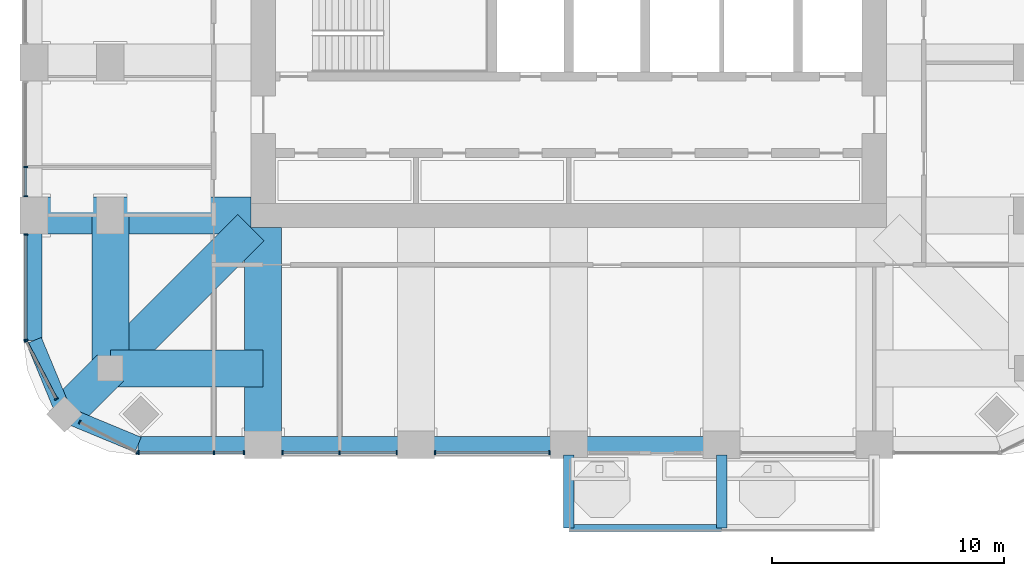
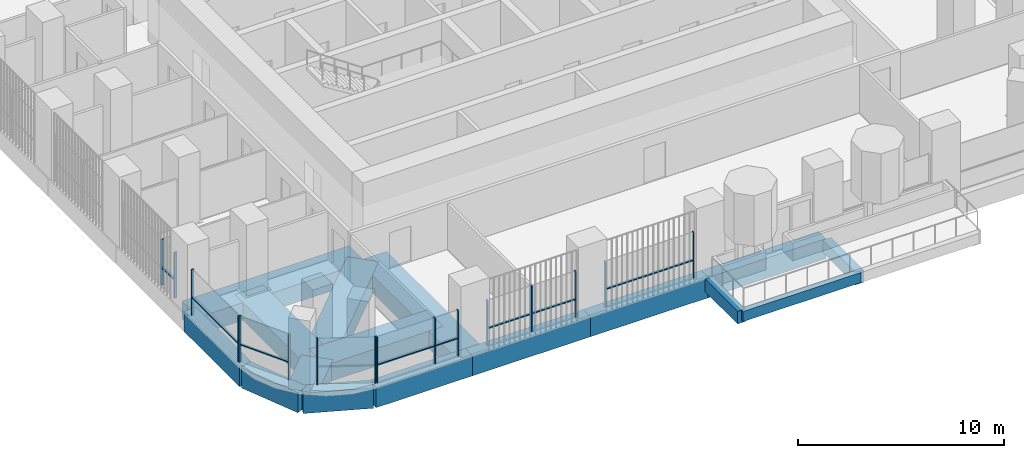
# One storey, part 2 of 19: 24 members, 16 beams, 7 elements without a shape of their own.
"""IFC4 building model written with IfcOpenShell, lengths in metres."""

import ifcopenshell
import ifcopenshell.guid

model = None  # the IFC model being written
_history = None  # IfcOwnerHistory: only IFC2X3 demands one
_inside = {}  # id of a spatial element -> (the spatial element, [elements in it])
_under = {}  # id of a project, library or spatial element -> (it, [spatial elements below it])
_declared = {}  # id of a project -> (the project, [libraries it declares])
_typed = {}  # id of a type object -> (the type object, [elements of that type])
_made_of = {}  # id of a material, layer set ... -> (it, [elements and type objects made of it])


def new_model(schema):
    """Start an empty IFC model of exactly this schema.

    Asked for "IFC4X3", IfcOpenShell would pick the latest addendum, in which some entities
    have other attributes; the version numbers below select the first issue.
    IFC2X3 requires an IfcOwnerHistory on every rooted entity: one is made here for all.
    """
    global model, _history
    if schema == "IFC4X3":
        model = ifcopenshell.file(schema_version=(4, 3, 0, 0))
    else:
        model = ifcopenshell.file(schema=schema)
    _inside.clear()
    _under.clear()
    _declared.clear()
    _typed.clear()
    _made_of.clear()
    _history = None
    if model.schema == "IFC2X3":
        org = make("IfcOrganization", Name="unknown")
        user = make(
            "IfcPersonAndOrganization",
            ThePerson=make("IfcPerson", FamilyName="unknown"),
            TheOrganization=org,
        )
        app = make(
            "IfcApplication",
            ApplicationDeveloper=org,
            Version="unknown",
            ApplicationFullName="unknown",
            ApplicationIdentifier="unknown",
        )
        _history = make(
            "IfcOwnerHistory",
            OwningUser=user,
            OwningApplication=app,
            ChangeAction="ADDED",
            CreationDate=0,
        )
    return model


def make(cls, **values):
    """One entity of the class cls with the attributes given. An attribute that is None is left unset."""
    return model.create_entity(
        cls, **{name: value for name, value in values.items() if value is not None}
    )


def rooted(cls, **values):
    """An entity with a GlobalId (a new one), such as an element, a storey or a relation."""
    return make(cls, GlobalId=ifcopenshell.guid.new(), OwnerHistory=_history, **values)


def si_unit(unit_type, name, prefix=None):
    """IfcSIUnit, for example si_unit("LENGTHUNIT", "METRE", prefix="MILLI")."""
    return make("IfcSIUnit", UnitType=unit_type, Prefix=prefix, Name=name)


def assignment(units):
    """IfcUnitAssignment: the units of a project."""
    return None if units is None else make("IfcUnitAssignment", Units=units)


def point(xyz):
    """IfcCartesianPoint."""
    return None if xyz is None else make("IfcCartesianPoint", Coordinates=xyz)


def direction(xyz):
    """IfcDirection."""
    return None if xyz is None else make("IfcDirection", DirectionRatios=xyz)


def frame(location, z_axis=None, x_axis=None):
    """IfcAxis2Placement3D, a coordinate frame: its origin and axes. An axis left out is left unset."""
    return make(
        "IfcAxis2Placement3D",
        Location=point(location),
        Axis=direction(z_axis),
        RefDirection=direction(x_axis),
    )


def frame_2d(location, x_axis=None):
    """IfcAxis2Placement2D, a coordinate frame in the plane: its origin and x axis."""
    return make(
        "IfcAxis2Placement2D", Location=point(location), RefDirection=direction(x_axis)
    )


def origin():
    """The frame at (0, 0, 0) with its axes left unset."""
    return frame((0.0, 0.0, 0.0))


def origin_2d():
    """The frame at (0, 0) in the plane with its x axis left unset."""
    return frame_2d((0.0, 0.0))


def place(relative_to, where):
    """IfcLocalPlacement: puts the frame where relative to a parent placement (None: the world)."""
    return make(
        "IfcLocalPlacement", PlacementRelTo=relative_to, RelativePlacement=where
    )


def context(
    kind, dimensions, precision=None, world=None, true_north=None, identifier=None
):
    """IfcGeometricRepresentationContext, for example the 3D "Model" context."""
    return make(
        "IfcGeometricRepresentationContext",
        ContextIdentifier=identifier,
        ContextType=kind,
        CoordinateSpaceDimension=dimensions,
        Precision=precision,
        WorldCoordinateSystem=world,
        TrueNorth=true_north,
    )


def subcontext(parent, identifier, kind, view, scale=None):
    """IfcGeometricRepresentationSubContext, for example "Body" below "Model"."""
    return make(
        "IfcGeometricRepresentationSubContext",
        ContextIdentifier=identifier,
        ContextType=kind,
        ParentContext=parent,
        TargetScale=scale,
        TargetView=view,
    )


def project(units=None, contexts=None):
    """IfcProject with its units and contexts."""
    return rooted(
        "IfcProject",
        Name="project",
        RepresentationContexts=contexts,
        UnitsInContext=assignment(units),
    )


def spatial(cls, under=None, at=None, **own):
    """A site, building, storey or space (cls), placed at a placement, below another one or the project."""
    s = rooted(cls, ObjectPlacement=at, **own)
    if under is not None:
        _under.setdefault(under.id(), (under, []))[1].append(s)
    return s


def profile(cls, at=None, kind="AREA", **sizes):
    """A parametric profile (cls). Its sizes go by their IFC names, for example OverallWidth=200.0."""
    return make(cls, ProfileType=kind, Position=at, **sizes)


def rectangle(**sizes):
    """IfcRectangleProfileDef."""
    return profile("IfcRectangleProfileDef", **sizes)


def extrude(swept, where, along, depth):
    """IfcExtrudedAreaSolid: the profile swept, set in the frame where, extruded along a direction by depth."""
    return make(
        "IfcExtrudedAreaSolid",
        SweptArea=swept,
        Position=where,
        ExtrudedDirection=direction(along),
        Depth=depth,
    )


def shape(context_of_items, identifier, shape_type, items):
    """IfcShapeRepresentation: the items that make up one representation, for example the "Body"."""
    return make(
        "IfcShapeRepresentation",
        ContextOfItems=context_of_items,
        RepresentationIdentifier=identifier,
        RepresentationType=shape_type,
        Items=items,
    )


def material(Name=None, Category=None):
    """IfcMaterial."""
    return make("IfcMaterial", Name=Name, Category=Category)


def material_profile(
    of_material, cross_section, Name=None, Category=None, Priority=None
):
    """IfcMaterialProfile: a cross section and its material."""
    return make(
        "IfcMaterialProfile",
        Name=Name,
        Material=of_material,
        Profile=cross_section,
        Priority=Priority,
        Category=Category,
    )


def profile_set(profiles, Name=None, composite=None):
    """IfcMaterialProfileSet."""
    return make(
        "IfcMaterialProfileSet",
        Name=Name,
        MaterialProfiles=profiles,
        CompositeProfile=composite,
    )


def made_of(thing, what):
    """Note that an element or type object is made of a material, layer set ...; save() writes the relation."""
    if what is not None:
        _made_of.setdefault(what.id(), (what, []))[1].append(thing)
    return thing


def type_object(cls, material=None, **own):
    """A type object (cls), such as IfcWallType, which elements share."""
    return made_of(rooted(cls, **own), material)


def element(
    cls,
    number,
    at=None,
    inside=None,
    cuts=None,
    type_object=None,
    material=None,
    context=None,
    identifier="Body",
    shape_type=None,
    held_by="IfcProductDefinitionShape",
    body=None,
    shapes=None,
    **own,
):
    """One element of the class cls, such as IfcWall. Its Tag is "e" and its number.

    at: its placement. inside: the storey or other place that contains it. cuts: it is an
    opening in that element (IfcRelVoidsElement). A single representation is given by context,
    identifier, shape_type and body (its items); several are given by shapes. held_by: the class
    of the entity that holds the representations. save() writes the other relations.
    """
    e = rooted(cls, Tag="e%d" % number, ObjectPlacement=at, **own)
    if body is not None:
        shapes = [shape(context, identifier, shape_type, body)]
    if shapes is not None:
        e.Representation = make(held_by, Representations=shapes)
    if inside is not None:
        _inside.setdefault(inside.id(), (inside, []))[1].append(e)
    if cuts is not None:
        rooted(
            "IfcRelVoidsElement", RelatingBuildingElement=cuts, RelatedOpeningElement=e
        )
    if type_object is not None:
        _typed.setdefault(type_object.id(), (type_object, []))[1].append(e)
    return made_of(e, material)


def aggregate(whole, parts):
    """IfcRelAggregates: a whole, such as a stair, and the parts it consists of."""
    return rooted("IfcRelAggregates", RelatingObject=whole, RelatedObjects=parts)


def save(model, path):
    """Write the relations noted so far, then the file.

    IfcRelAggregates (storeys below a building ...), IfcRelContainedInSpatialStructure (elements
    in a storey), IfcRelDefinesByType, IfcRelAssociatesMaterial and IfcRelDeclares: one each for
    every whole, place, type object, material and project.
    """
    for whole, parts in _under.values():
        aggregate(whole, parts)
    for where, things in _inside.values():
        rooted(
            "IfcRelContainedInSpatialStructure",
            RelatedElements=things,
            RelatingStructure=where,
        )
    for kind, things in _typed.values():
        rooted("IfcRelDefinesByType", RelatedObjects=things, RelatingType=kind)
    for what, things in _made_of.values():
        rooted("IfcRelAssociatesMaterial", RelatedObjects=things, RelatingMaterial=what)
    for by, libraries in _declared.values():
        rooted("IfcRelDeclares", RelatingContext=by, RelatedDefinitions=libraries)
    model.write(path)


model = new_model("IFC4")

# Units and contexts
model_context = context("Model", 3, precision=1e-05, world=origin(), true_north=direction((0.0, 1.0)))
body_context = subcontext(model_context, "Body", "Model", "MODEL_VIEW")
ifc_project = project(units=[si_unit("LENGTHUNIT", "METRE"), si_unit("AREAUNIT", "SQUARE_METRE"), si_unit("VOLUMEUNIT", "CUBIC_METRE"), si_unit("PLANEANGLEUNIT", "RADIAN"), si_unit("MASSUNIT", "GRAM", prefix="KILO")], contexts=[model_context])

# Site, building, storey
site_placement = place(None, origin())
site = spatial("IfcSite", under=ifc_project, at=site_placement, CompositionType="ELEMENT")
building_placement = place(site_placement, origin())
building = spatial("IfcBuilding", under=site, at=building_placement, Name="Cobogo Forest Laboratory Tower", CompositionType="ELEMENT")
storey_placement = place(building_placement, frame((0.0, 0.0, 206.10009765625)))
storey = spatial("IfcBuildingStorey", under=building, at=storey_placement, Name="L47", CompositionType="ELEMENT", Elevation=206.10009765625)

# Beams
ifc_material_1 = material(Name="Concrete HA-40 (C40/50)", Category="concrete")
ifc_material_profile_1 = material_profile(ifc_material_1, rectangle(XDim=0.449951171875, YDim=0.75, at=origin_2d()), Name="RC 450x750")
ifc_profile_set_1 = profile_set([ifc_material_profile_1], Name="Concrete HA-40 (C40/50)")
beam_type_1 = type_object("IfcBeamType", Name="Balcony cantilever beam 450x750", PredefinedType="BEAM", material=ifc_profile_set_1)
for number, where, z_axis, x_axis, name in (
    (1, (26.39990234375, 2.85009765625, -0.625), (0.0, -1.0, 0.0), (1.0, 0.0, 0.0), "CB1 BAL-S1-C1 L47"),
    (2, (33.0, 2.85009765625, -0.625), (0.0, -1.0, 0.0), (1.0, 0.0, 0.0), "CB1 BAL-S1-C2 L47"),
):
    element("IfcBeam", number, at=place(storey_placement, frame(where, z_axis=z_axis, x_axis=x_axis)), inside=storey, type_object=beam_type_1, Name=name, PredefinedType="BEAM", context=body_context, shape_type="SweptSolid", body=[
        extrude(rectangle(XDim=0.449951171875, YDim=0.75, at=origin_2d()), origin(), (0.0, 0.0, 1.0), 3.150146484375),
    ])
ifc_material_profile_2 = material_profile(ifc_material_1, rectangle(XDim=0.300048828125, YDim=0.60009765625, at=origin_2d()), Name="RC 300x600")
ifc_profile_set_2 = profile_set([ifc_material_profile_2], Name="Concrete HA-40 (C40/50)")
beam_type_2 = type_object("IfcBeamType", Name="Balcony edge beam 300x600", PredefinedType="BEAM", material=ifc_profile_set_2)
beam_1_placement = place(storey_placement, frame((26.39990234375, -0.300048828125, -0.550048828125), z_axis=(1.0, 0.0, 0.0), x_axis=(0.0, 1.0, 0.0)))
element("IfcBeam", 3, at=beam_1_placement, inside=storey, type_object=beam_type_2, Name="BB1 BAL-S1-T1 L47", PredefinedType="BEAM", context=body_context, shape_type="SweptSolid", body=[
    extrude(rectangle(XDim=0.300048828125, YDim=0.60009765625, at=origin_2d()), origin(), (0.0, 0.0, 1.0), 6.60009765625),
])
ifc_material_2 = material(Name="Concrete HA-50 (C50/60)", Category="concrete")
ifc_material_profile_3 = material_profile(ifc_material_2, rectangle(XDim=1.60009765625, YDim=1.050048828125, at=origin_2d()), Name="RC 1600x1050")
ifc_profile_set_3 = profile_set([ifc_material_profile_3], Name="Concrete HA-50 (C50/60)")
beam_type_3 = type_object("IfcBeamType", Name="Laboratory floor wide beam 1600x1050", PredefinedType="BEAM", material=ifc_profile_set_3)
for number, where, z_axis, x_axis, name in (
    (4, (13.199951171875, 12.675048828125, -0.8251953125), (0.0, -1.0, 0.0), (1.0, 0.0, 0.0), "RB8 R-3-S L47"),
    (5, (12.675048828125, 13.199951171875, -0.8251953125), (-1.0, 0.0, 0.0), (0.0, -1.0, 0.0), "RB8 R-C-W L47"),
):
    element("IfcBeam", number, at=place(storey_placement, frame(where, z_axis=z_axis, x_axis=x_axis)), inside=storey, type_object=beam_type_3, Name=name, PredefinedType="BEAM", context=body_context, shape_type="SweptSolid", body=[
        extrude(rectangle(XDim=1.60009765625, YDim=1.050048828125, at=origin_2d()), origin(), (0.0, 0.0, 1.0), 9.375),
    ])
for number, where, z_axis, x_axis, name in (
    (6, (6.60009765625, 6.60009765625, -0.8251953125), (0.0, 1.0, 0.0), (-1.0, 0.0, 0.0), "RB8 G-SW-XC L47"),
    (7, (6.60009765625, 6.60009765625, -0.8251953125), (1.0, 0.0, 0.0), (0.0, 1.0, 0.0), "RB8 G-SW-YC L47"),
):
    element("IfcBeam", number, at=place(storey_placement, frame(where, z_axis=z_axis, x_axis=x_axis)), inside=storey, type_object=beam_type_3, Name=name, PredefinedType="BEAM", context=body_context, shape_type="SweptSolid", body=[
        extrude(rectangle(XDim=1.60009765625, YDim=1.050048828125, at=origin_2d()), origin(), (0.0, 0.0, 1.0), 6.599853515625),
    ])
beam_2_placement = place(storey_placement, frame((4.617919921875, 4.617919921875, -0.8251953125), z_axis=(0.707106781187, 0.707106781187, 0.0), x_axis=(-0.707106781187, 0.707106781187, 0.0)))
element("IfcBeam", 8, at=beam_2_placement, inside=storey, type_object=beam_type_3, Name="RB8 G-SW-D1 L47", PredefinedType="BEAM", context=body_context, shape_type="SweptSolid", body=[
    extrude(rectangle(XDim=1.60009765625, YDim=1.050048828125, at=origin_2d()), origin(), (0.0, 0.0, 1.0), 2.80322265625),
])
beam_3_placement = place(storey_placement, frame((6.60009765625, 6.60009765625, -0.8251953125), z_axis=(0.707106781187, 0.707106781187, 0.0), x_axis=(-0.707106781187, 0.707106781187, 0.0)))
element("IfcBeam", 9, at=beam_3_placement, inside=storey, type_object=beam_type_3, Name="RB8 G-SW-D2 L47", PredefinedType="BEAM", context=body_context, shape_type="SweptSolid", body=[
    extrude(rectangle(XDim=1.60009765625, YDim=1.050048828125, at=origin_2d()), origin(), (0.0, 0.0, 1.0), 8.59130859375),
])

# Curtain wall, members
ifc_material_3 = material(Name="Aluminium curtain wall", Category="aluminium")
curtain_wall_type = type_object("IfcCurtainWallType", Name="CW-2 unitised curtain wall, solar control glazing, laboratory floors zones C and D", PredefinedType="USERDEFINED", material=ifc_material_3)
curtain_wall_1_placement = place(storey_placement, origin())
curtain_wall_1 = element("IfcCurtainWall", 10, at=curtain_wall_1_placement, inside=storey, type_object=curtain_wall_type, Name="Curtain wall 01 L47", ObjectType="UNITISED CURTAIN WALL", PredefinedType="USERDEFINED")
ifc_material_4 = material(Name="Aluminium mullion", Category="aluminium")
ifc_material_profile_4 = material_profile(ifc_material_4, rectangle(XDim=0.06005859375, YDim=0.159912109375, at=origin_2d()), Name="AL 60x160")
ifc_profile_set_4 = profile_set([ifc_material_profile_4], Name="Aluminium mullion")
member_type_1 = type_object("IfcMemberType", Name="MU-1 aluminium mullion 60x160", PredefinedType="MULLION", material=ifc_profile_set_4)
member_1_placement = place(storey_placement, frame((7.830078125, 2.949951171875, 0.0), z_axis=(0.0, 0.0, 1.0), x_axis=(1.0, 0.0, 0.0)))
member_1 = element("IfcMember", 11, at=member_1_placement, type_object=member_type_1, Name="CW-2 mullion 1", PredefinedType="MULLION", context=body_context, shape_type="SweptSolid", body=[
    extrude(rectangle(XDim=0.06005859375, YDim=0.159912109375, at=origin_2d()), origin(), (0.0, 0.0, 1.0), 2.699951171875),
])
member_2_placement = place(storey_placement, frame((11.074951171875, 2.949951171875, 0.0), z_axis=(0.0, 0.0, 1.0), x_axis=(1.0, 0.0, 0.0)))
member_2 = element("IfcMember", 12, at=member_2_placement, type_object=member_type_1, Name="CW-2 mullion 2", PredefinedType="MULLION", context=body_context, shape_type="SweptSolid", body=[
    extrude(rectangle(XDim=0.06005859375, YDim=0.159912109375, at=origin_2d()), origin(), (0.0, 0.0, 1.0), 2.699951171875),
])
member_3_placement = place(storey_placement, frame((12.3701171875, 2.949951171875, 0.0), z_axis=(0.0, 0.0, 1.0), x_axis=(1.0, 0.0, 0.0)))
member_3 = element("IfcMember", 13, at=member_3_placement, type_object=member_type_1, Name="CW-2 mullion 3", PredefinedType="MULLION", context=body_context, shape_type="SweptSolid", body=[
    extrude(rectangle(XDim=0.06005859375, YDim=0.159912109375, at=origin_2d()), origin(), (0.0, 0.0, 1.0), 2.699951171875),
])

curtain_wall_2_placement = place(storey_placement, origin())
curtain_wall_2 = element("IfcCurtainWall", 14, at=curtain_wall_2_placement, inside=storey, type_object=curtain_wall_type, Name="Curtain wall 02 L47", ObjectType="UNITISED CURTAIN WALL", PredefinedType="USERDEFINED")
member_4_placement = place(storey_placement, frame((14.030029296875, 2.949951171875, 0.0), z_axis=(0.0, 0.0, 1.0), x_axis=(1.0, 0.0, 0.0)))
member_4 = element("IfcMember", 15, at=member_4_placement, type_object=member_type_1, Name="CW-2 mullion 1", PredefinedType="MULLION", context=body_context, shape_type="SweptSolid", body=[
    extrude(rectangle(XDim=0.06005859375, YDim=0.159912109375, at=origin_2d()), origin(), (0.0, 0.0, 1.0), 2.699951171875),
])
member_5_placement = place(storey_placement, frame((16.5, 2.949951171875, 0.0), z_axis=(0.0, 0.0, 1.0), x_axis=(1.0, 0.0, 0.0)))
member_5 = element("IfcMember", 16, at=member_5_placement, type_object=member_type_1, Name="CW-2 mullion 2", PredefinedType="MULLION", context=body_context, shape_type="SweptSolid", body=[
    extrude(rectangle(XDim=0.06005859375, YDim=0.159912109375, at=origin_2d()), origin(), (0.0, 0.0, 1.0), 2.699951171875),
])
member_6_placement = place(storey_placement, frame((18.969970703125, 2.949951171875, 0.0), z_axis=(0.0, 0.0, 1.0), x_axis=(1.0, 0.0, 0.0)))
member_6 = element("IfcMember", 17, at=member_6_placement, type_object=member_type_1, Name="CW-2 mullion 3", PredefinedType="MULLION", context=body_context, shape_type="SweptSolid", body=[
    extrude(rectangle(XDim=0.06005859375, YDim=0.159912109375, at=origin_2d()), origin(), (0.0, 0.0, 1.0), 2.699951171875),
])

curtain_wall_3_placement = place(storey_placement, origin())
curtain_wall_3 = element("IfcCurtainWall", 18, at=curtain_wall_3_placement, inside=storey, type_object=curtain_wall_type, Name="Curtain wall 03 L47", ObjectType="UNITISED CURTAIN WALL", PredefinedType="USERDEFINED")
member_7_placement = place(storey_placement, frame((20.6298828125, 2.949951171875, 0.0), z_axis=(0.0, 0.0, 1.0), x_axis=(1.0, 0.0, 0.0)))
member_7 = element("IfcMember", 19, at=member_7_placement, type_object=member_type_1, Name="CW-2 mullion 1", PredefinedType="MULLION", context=body_context, shape_type="SweptSolid", body=[
    extrude(rectangle(XDim=0.06005859375, YDim=0.159912109375, at=origin_2d()), origin(), (0.0, 0.0, 1.0), 2.699951171875),
])
member_8_placement = place(storey_placement, frame((25.570068359375, 2.949951171875, 0.0), z_axis=(0.0, 0.0, 1.0), x_axis=(1.0, 0.0, 0.0)))
member_8 = element("IfcMember", 20, at=member_8_placement, type_object=member_type_1, Name="CW-2 mullion 2", PredefinedType="MULLION", context=body_context, shape_type="SweptSolid", body=[
    extrude(rectangle(XDim=0.06005859375, YDim=0.159912109375, at=origin_2d()), origin(), (0.0, 0.0, 1.0), 2.699951171875),
])

curtain_wall_4_placement = place(storey_placement, origin())
curtain_wall_4 = element("IfcCurtainWall", 21, at=curtain_wall_4_placement, inside=storey, type_object=curtain_wall_type, Name="Curtain wall 27 L47", ObjectType="UNITISED CURTAIN WALL", PredefinedType="USERDEFINED")
member_9_placement = place(storey_placement, frame((2.949951171875, 15.300048828125, 0.0), z_axis=(0.0, 0.0, 1.0), x_axis=(0.0, -1.0, 0.0)))
member_9 = element("IfcMember", 22, at=member_9_placement, type_object=member_type_1, Name="CW-2 mullion 2", PredefinedType="MULLION", context=body_context, shape_type="SweptSolid", body=[
    extrude(rectangle(XDim=0.06005859375, YDim=0.159912109375, at=origin_2d()), origin(), (0.0, 0.0, 1.0), 2.699951171875),
])
member_10_placement = place(storey_placement, frame((2.949951171875, 14.030029296875, 0.0), z_axis=(0.0, 0.0, 1.0), x_axis=(0.0, -1.0, 0.0)))
member_10 = element("IfcMember", 23, at=member_10_placement, type_object=member_type_1, Name="CW-2 mullion 3", PredefinedType="MULLION", context=body_context, shape_type="SweptSolid", body=[
    extrude(rectangle(XDim=0.06005859375, YDim=0.159912109375, at=origin_2d()), origin(), (0.0, 0.0, 1.0), 2.699951171875),
])

curtain_wall_5_placement = place(storey_placement, origin())
curtain_wall_5 = element("IfcCurtainWall", 24, at=curtain_wall_5_placement, inside=storey, type_object=curtain_wall_type, Name="Curtain wall 28 L47", ObjectType="UNITISED CURTAIN WALL", PredefinedType="USERDEFINED")
member_11_placement = place(storey_placement, frame((2.949951171875, 12.3701171875, 0.0), z_axis=(0.0, 0.0, 1.0), x_axis=(0.0, -1.0, 0.0)))
member_11 = element("IfcMember", 25, at=member_11_placement, type_object=member_type_1, Name="CW-2 mullion 1", PredefinedType="MULLION", context=body_context, shape_type="SweptSolid", body=[
    extrude(rectangle(XDim=0.06005859375, YDim=0.159912109375, at=origin_2d()), origin(), (0.0, 0.0, 1.0), 2.699951171875),
])
member_12_placement = place(storey_placement, frame((2.949951171875, 7.830078125, 0.0), z_axis=(0.0, 0.0, 1.0), x_axis=(0.0, -1.0, 0.0)))
member_12 = element("IfcMember", 26, at=member_12_placement, type_object=member_type_1, Name="CW-2 mullion 2", PredefinedType="MULLION", context=body_context, shape_type="SweptSolid", body=[
    extrude(rectangle(XDim=0.06005859375, YDim=0.159912109375, at=origin_2d()), origin(), (0.0, 0.0, 1.0), 2.699951171875),
])

curtain_wall_6_placement = place(storey_placement, origin())
curtain_wall_6 = element("IfcCurtainWall", 27, at=curtain_wall_6_placement, inside=storey, type_object=curtain_wall_type, Name="Curtain wall 29 L47", ObjectType="UNITISED CURTAIN WALL", PredefinedType="USERDEFINED")
member_13_placement = place(storey_placement, frame((2.9638671875, 7.7734375, 0.0), z_axis=(0.0, 0.0, 1.0), x_axis=(0.464283804832, -0.885686484356, 0.0)))
member_13 = element("IfcMember", 28, at=member_13_placement, type_object=member_type_1, Name="CW-2 mullion 1", PredefinedType="MULLION", context=body_context, shape_type="SweptSolid", body=[
    extrude(rectangle(XDim=0.06005859375, YDim=0.159912109375, at=origin_2d()), origin(), (0.0, 0.0, 1.0), 2.699951171875),
])
member_14_placement = place(storey_placement, frame((4.2734375, 5.275634765625, 0.0), z_axis=(0.0, 0.0, 1.0), x_axis=(0.464283804832, -0.885686484356, 0.0)))
member_14 = element("IfcMember", 29, at=member_14_placement, type_object=member_type_1, Name="CW-2 mullion 2", PredefinedType="MULLION", context=body_context, shape_type="SweptSolid", body=[
    extrude(rectangle(XDim=0.06005859375, YDim=0.159912109375, at=origin_2d()), origin(), (0.0, 0.0, 1.0), 2.699951171875),
])

curtain_wall_7_placement = place(storey_placement, origin())
curtain_wall_7 = element("IfcCurtainWall", 30, at=curtain_wall_7_placement, inside=storey, type_object=curtain_wall_type, Name="Curtain wall 30 L47", ObjectType="UNITISED CURTAIN WALL", PredefinedType="USERDEFINED")
member_15_placement = place(storey_placement, frame((5.275634765625, 4.2734375, 0.0), z_axis=(0.0, 0.0, 1.0), x_axis=(0.885686484356, -0.464283804832, 0.0)))
member_15 = element("IfcMember", 31, at=member_15_placement, type_object=member_type_1, Name="CW-2 mullion 1", PredefinedType="MULLION", context=body_context, shape_type="SweptSolid", body=[
    extrude(rectangle(XDim=0.06005859375, YDim=0.159912109375, at=origin_2d()), origin(), (0.0, 0.0, 1.0), 2.699951171875),
])
member_16_placement = place(storey_placement, frame((7.7734375, 2.9638671875, 0.0), z_axis=(0.0, 0.0, 1.0), x_axis=(0.885686484356, -0.464283804832, 0.0)))
member_16 = element("IfcMember", 32, at=member_16_placement, type_object=member_type_1, Name="CW-2 mullion 2", PredefinedType="MULLION", context=body_context, shape_type="SweptSolid", body=[
    extrude(rectangle(XDim=0.06005859375, YDim=0.159912109375, at=origin_2d()), origin(), (0.0, 0.0, 1.0), 2.699951171875),
])
aggregate(curtain_wall_7, [member_15, member_16])

# Beams
ifc_material_profile_5 = material_profile(ifc_material_1, rectangle(XDim=0.699951171875, YDim=1.199951171875, at=origin_2d()), Name="RC 700x1200")
ifc_profile_set_5 = profile_set([ifc_material_profile_5], Name="Concrete HA-40 (C40/50)")
beam_type_4 = type_object("IfcBeamType", Name="Perimeter edge beam 700x1200", PredefinedType="BEAM", material=ifc_profile_set_5)
beam_4_placement = place(storey_placement, frame((13.199951171875, 3.300048828125, -0.900146484375), z_axis=(1.0, 0.0, 0.0), x_axis=(0.0, 1.0, 0.0)))
element("IfcBeam", 33, at=beam_4_placement, inside=storey, type_object=beam_type_4, Name="EB1 E-S1 L47", PredefinedType="BEAM", context=body_context, shape_type="SweptSolid", body=[
    extrude(rectangle(XDim=0.699951171875, YDim=1.199951171875, at=origin_2d()), origin(), (0.0, 0.0, 1.0), 6.60009765625),
])
beam_5_placement = place(storey_placement, frame((19.800048828125, 3.300048828125, -0.900146484375), z_axis=(1.0, 0.0, 0.0), x_axis=(0.0, 1.0, 0.0)))
element("IfcBeam", 34, at=beam_5_placement, inside=storey, type_object=beam_type_4, Name="EB1 E-S2 L47", PredefinedType="BEAM", context=body_context, shape_type="SweptSolid", body=[
    extrude(rectangle(XDim=0.699951171875, YDim=1.199951171875, at=origin_2d()), origin(), (0.0, 0.0, 1.0), 6.599853515625),
])
beam_6_placement = place(storey_placement, frame((26.39990234375, 3.300048828125, -0.900146484375), z_axis=(1.0, 0.0, 0.0), x_axis=(0.0, 1.0, 0.0)))
element("IfcBeam", 35, at=beam_6_placement, inside=storey, type_object=beam_type_4, Name="EB1 E-S3 L47", PredefinedType="BEAM", context=body_context, shape_type="SweptSolid", body=[
    extrude(rectangle(XDim=0.699951171875, YDim=1.199951171875, at=origin_2d()), origin(), (0.0, 0.0, 1.0), 6.60009765625),
])
beam_7_placement = place(storey_placement, frame((13.199951171875, 3.300048828125, -0.900146484375), z_axis=(-1.0, 0.0, 0.0), x_axis=(0.0, -1.0, 0.0)))
element("IfcBeam", 36, at=beam_7_placement, inside=storey, type_object=beam_type_4, Name="EB1 E-SWS1 L47", PredefinedType="BEAM", context=body_context, shape_type="SweptSolid", body=[
    extrude(rectangle(XDim=0.699951171875, YDim=1.199951171875, at=origin_2d()), origin(), (0.0, 0.0, 1.0), 5.39990234375),
])
beam_8_placement = place(storey_placement, frame((7.800048828125, 3.300048828125, -0.900146484375), z_axis=(-0.923901072997, 0.382631424892, 0.0), x_axis=(-0.382631424892, -0.923901072997, 0.0)))
element("IfcBeam", 37, at=beam_8_placement, inside=storey, type_object=beam_type_4, Name="EB1 E-SWS2 L47", PredefinedType="BEAM", context=body_context, shape_type="SweptSolid", body=[
    extrude(rectangle(XDim=0.699951171875, YDim=1.199951171875, at=origin_2d()), origin(), (0.0, 0.0, 1.0), 3.4443359375),
])
beam_9_placement = place(storey_placement, frame((3.300048828125, 13.199951171875, -0.900146484375), z_axis=(0.0, -1.0, 0.0), x_axis=(1.0, 0.0, 0.0)))
element("IfcBeam", 38, at=beam_9_placement, inside=storey, type_object=beam_type_4, Name="EB1 E-SWW1 L47", PredefinedType="BEAM", context=body_context, shape_type="SweptSolid", body=[
    extrude(rectangle(XDim=0.699951171875, YDim=1.199951171875, at=origin_2d()), origin(), (0.0, 0.0, 1.0), 5.39990234375),
])
beam_10_placement = place(storey_placement, frame((3.300048828125, 7.800048828125, -0.900146484375), z_axis=(0.382631424892, -0.923901072997, 0.0), x_axis=(0.923901072997, 0.382631424892, 0.0)))
element("IfcBeam", 39, at=beam_10_placement, inside=storey, type_object=beam_type_4, Name="EB1 E-SWW2 L47", PredefinedType="BEAM", context=body_context, shape_type="SweptSolid", body=[
    extrude(rectangle(XDim=0.699951171875, YDim=1.199951171875, at=origin_2d()), origin(), (0.0, 0.0, 1.0), 3.4443359375),
])

# Member
ifc_material_5 = material(Name="Aluminium transom", Category="aluminium")
ifc_material_profile_6 = material_profile(ifc_material_5, rectangle(XDim=0.1201171875, YDim=0.06005859375, at=origin_2d()), Name="AL 60x120")
ifc_profile_set_6 = profile_set([ifc_material_profile_6], Name="Aluminium transom")
member_type_2 = type_object("IfcMemberType", Name="TR-1 aluminium transom 60x120", PredefinedType="USERDEFINED", material=ifc_profile_set_6)
member_17_placement = place(storey_placement, frame((7.860107421875, 2.949951171875, 1.0498046875), z_axis=(1.0, 0.0, 0.0), x_axis=(0.0, 1.0, 0.0)))
member_17 = element("IfcMember", 40, at=member_17_placement, type_object=member_type_2, Name="CW-2 transom 1.1", ObjectType="TRANSOM", PredefinedType="USERDEFINED", context=body_context, shape_type="SweptSolid", body=[
    extrude(rectangle(XDim=0.1201171875, YDim=0.06005859375, at=origin_2d()), origin(), (0.0, 0.0, 1.0), 3.184814453125),
])

member_18_placement = place(storey_placement, frame((11.10498046875, 2.949951171875, 1.0498046875), z_axis=(1.0, 0.0, 0.0), x_axis=(0.0, 1.0, 0.0)))
member_18 = element("IfcMember", 41, at=member_18_placement, type_object=member_type_2, Name="CW-2 transom 2.1", ObjectType="TRANSOM", PredefinedType="USERDEFINED", context=body_context, shape_type="SweptSolid", body=[
    extrude(rectangle(XDim=0.1201171875, YDim=0.06005859375, at=origin_2d()), origin(), (0.0, 0.0, 1.0), 1.235107421875),
])

aggregate(curtain_wall_1, [member_1, member_2, member_3, member_17, member_18])

member_19_placement = place(storey_placement, frame((14.06005859375, 2.949951171875, 1.0498046875), z_axis=(1.0, 0.0, 0.0), x_axis=(0.0, 1.0, 0.0)))
member_19 = element("IfcMember", 42, at=member_19_placement, type_object=member_type_2, Name="CW-2 transom 1.1", ObjectType="TRANSOM", PredefinedType="USERDEFINED", context=body_context, shape_type="SweptSolid", body=[
    extrude(rectangle(XDim=0.1201171875, YDim=0.06005859375, at=origin_2d()), origin(), (0.0, 0.0, 1.0), 2.409912109375),
])

member_20_placement = place(storey_placement, frame((16.530029296875, 2.949951171875, 1.0498046875), z_axis=(1.0, 0.0, 0.0), x_axis=(0.0, 1.0, 0.0)))
member_20 = element("IfcMember", 43, at=member_20_placement, type_object=member_type_2, Name="CW-2 transom 2.1", ObjectType="TRANSOM", PredefinedType="USERDEFINED", context=body_context, shape_type="SweptSolid", body=[
    extrude(rectangle(XDim=0.1201171875, YDim=0.06005859375, at=origin_2d()), origin(), (0.0, 0.0, 1.0), 2.409912109375),
])

aggregate(curtain_wall_2, [member_4, member_5, member_6, member_19, member_20])

member_21_placement = place(storey_placement, frame((20.659912109375, 2.949951171875, 1.0498046875), z_axis=(1.0, 0.0, 0.0), x_axis=(0.0, 1.0, 0.0)))
member_21 = element("IfcMember", 44, at=member_21_placement, type_object=member_type_2, Name="CW-2 transom 1.1", ObjectType="TRANSOM", PredefinedType="USERDEFINED", context=body_context, shape_type="SweptSolid", body=[
    extrude(rectangle(XDim=0.1201171875, YDim=0.06005859375, at=origin_2d()), origin(), (0.0, 0.0, 1.0), 4.880126953125),
])

aggregate(curtain_wall_3, [member_7, member_8, member_21])

member_22_placement = place(storey_placement, frame((2.949951171875, 15.27001953125, 1.0498046875), z_axis=(0.0, -1.0, 0.0), x_axis=(1.0, 0.0, 0.0)))
member_22 = element("IfcMember", 45, at=member_22_placement, type_object=member_type_2, Name="CW-2 transom 2.1", ObjectType="TRANSOM", PredefinedType="USERDEFINED", context=body_context, shape_type="SweptSolid", body=[
    extrude(rectangle(XDim=0.1201171875, YDim=0.06005859375, at=origin_2d()), origin(), (0.0, 0.0, 1.0), 1.2099609375),
])

aggregate(curtain_wall_4, [member_9, member_10, member_22])

member_23_placement = place(storey_placement, frame((2.949951171875, 12.340087890625, 1.0498046875), z_axis=(0.0, -1.0, 0.0), x_axis=(1.0, 0.0, 0.0)))
member_23 = element("IfcMember", 46, at=member_23_placement, type_object=member_type_2, Name="CW-2 transom 1.1", ObjectType="TRANSOM", PredefinedType="USERDEFINED", context=body_context, shape_type="SweptSolid", body=[
    extrude(rectangle(XDim=0.1201171875, YDim=0.06005859375, at=origin_2d()), origin(), (0.0, 0.0, 1.0), 4.47998046875),
])

aggregate(curtain_wall_5, [member_11, member_12, member_23])

member_24_placement = place(storey_placement, frame((2.977783203125, 7.746826171875, 1.0498046875), z_axis=(0.464324225592, -0.885665294301, 0.0), x_axis=(0.885665294301, 0.464324225592, 0.0)))
member_24 = element("IfcMember", 47, at=member_24_placement, type_object=member_type_2, Name="CW-2 transom 1.1", ObjectType="TRANSOM", PredefinedType="USERDEFINED", context=body_context, shape_type="SweptSolid", body=[
    extrude(rectangle(XDim=0.1201171875, YDim=0.06005859375, at=origin_2d()), origin(), (0.0, 0.0, 1.0), 2.760498046875),
])

aggregate(curtain_wall_6, [member_13, member_14, member_24])

save(model, "model.ifc")
